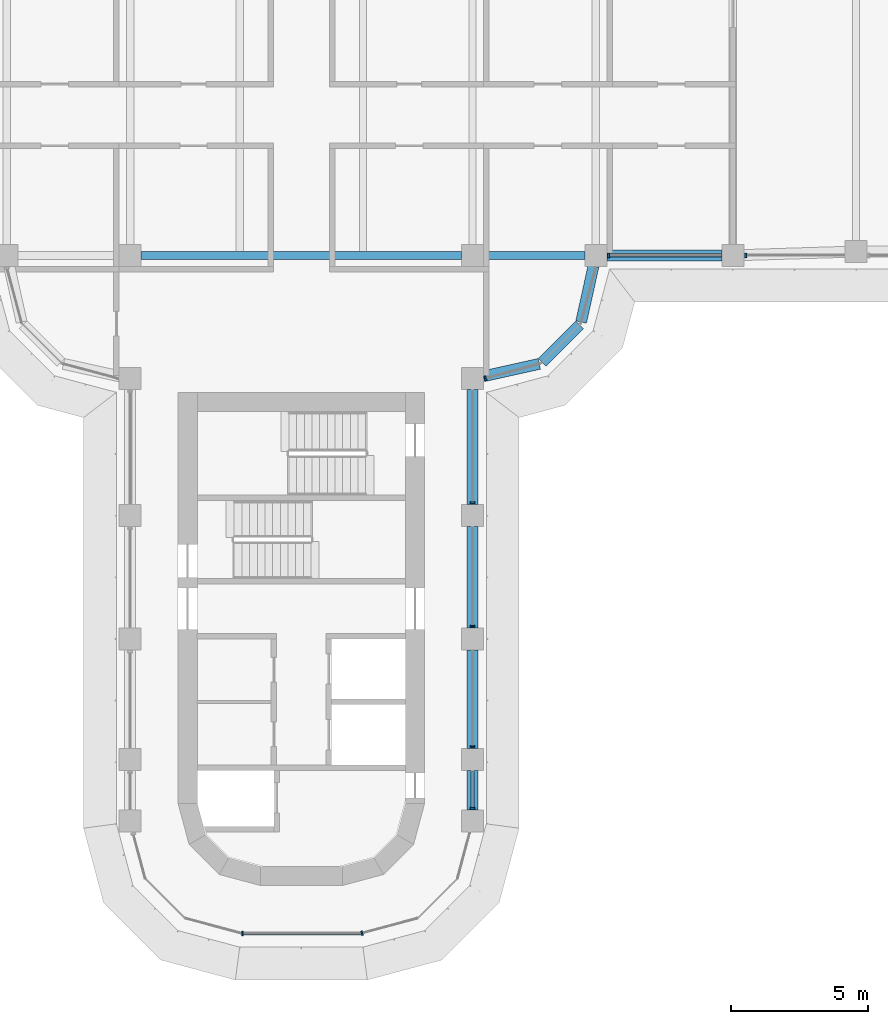
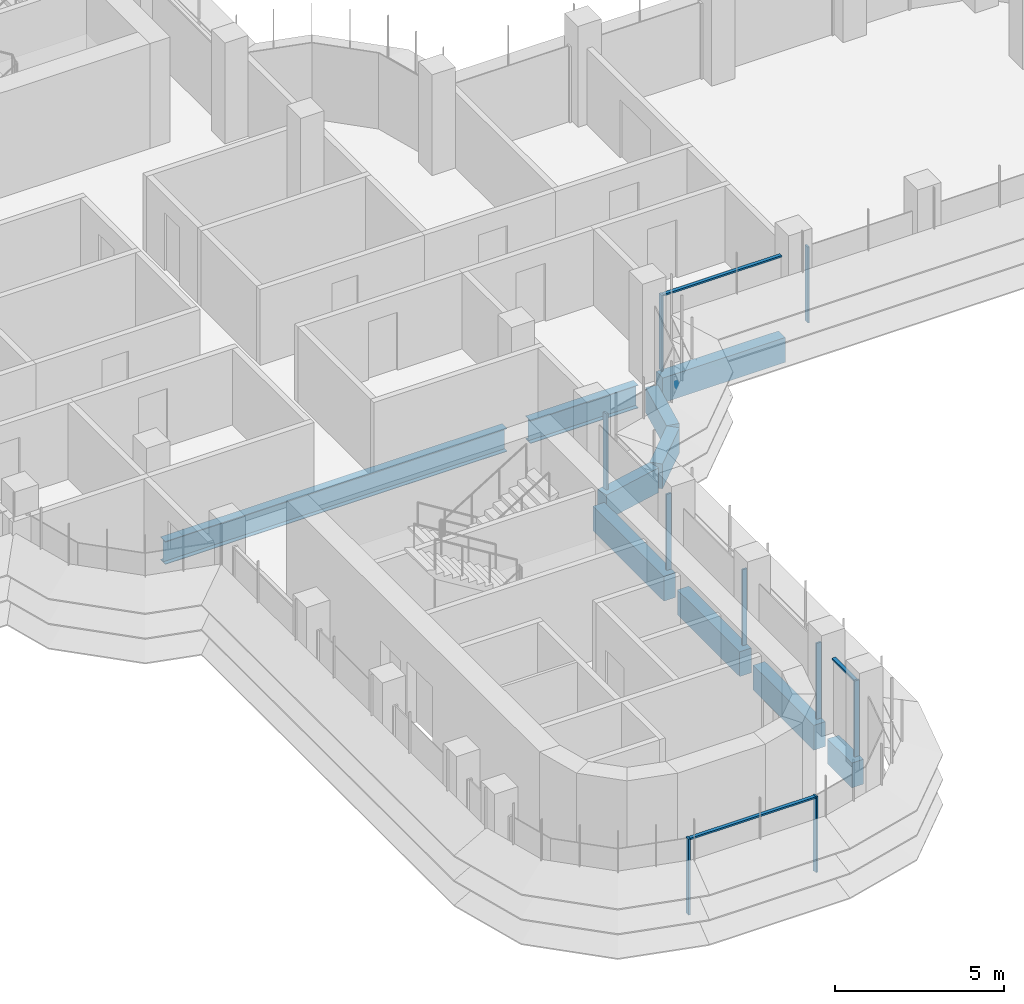
# One storey, part 4 of 19: 12 members, 10 beams, 5 elements without a shape of their own.
"""IFC4 building model written with IfcOpenShell, lengths in metres."""

from ifc_helpers import new_model, si_unit, direction, frame, origin, origin_2d, place, context, subcontext, project, spatial, polyline, rectangle, i_section, outline, extrude, source, transform, mapped, material, material_profile, profile_set, type_object, element, aggregate, save


model = new_model("IFC4")

# Units and contexts
model_context = context("Model", 3, precision=1e-05, world=origin(), true_north=direction((0.0, 1.0)))
body_context = subcontext(model_context, "Body", "Model", "MODEL_VIEW")
ifc_project = project(units=[si_unit("LENGTHUNIT", "METRE"), si_unit("AREAUNIT", "SQUARE_METRE"), si_unit("VOLUMEUNIT", "CUBIC_METRE"), si_unit("PLANEANGLEUNIT", "RADIAN"), si_unit("MASSUNIT", "GRAM", prefix="KILO")], contexts=[model_context])

# Site, building, storey
site_placement = place(None, origin())
site = spatial("IfcSite", under=ifc_project, at=site_placement, CompositionType="ELEMENT")
building_placement = place(site_placement, origin())
building = spatial("IfcBuilding", under=site, at=building_placement, Name="Zarbagh Exchange Tower", CompositionType="ELEMENT")
storey_placement = place(building_placement, frame((0.0, 0.0, 160.0)))
storey = spatial("IfcBuildingStorey", under=building, at=storey_placement, Name="L38", CompositionType="ELEMENT", Elevation=160.0)

# Beams
ifc_material_1 = material(Name="Steel ASTM A992 Gr 50", Category="steel")
ifc_material_profile_1 = material_profile(ifc_material_1, i_section(OverallWidth=0.2919921875, OverallDepth=0.835693359375, WebThickness=0.013916015625, FlangeThickness=0.018798828125, at=origin_2d()), Name="W33X118")
ifc_profile_set_1 = profile_set([ifc_material_profile_1], Name="Steel ASTM A992 Gr 50")
beam_type_1 = type_object("IfcBeamType", Name="Floor girder W33X118", PredefinedType="BEAM", material=ifc_profile_set_1)
beam_1_placement = place(storey_placement, frame((-5.85009765625, -6.25, -0.56787109375), z_axis=(1.0, 0.0, 0.0), x_axis=(0.0, 1.0, 0.0)))
element("IfcBeam", 1, at=beam_1_placement, inside=storey, type_object=beam_type_1, Name="Steel girder", PredefinedType="BEAM", context=body_context, shape_type="SweptSolid", body=[
    extrude(i_section(OverallWidth=0.2919921875, OverallDepth=0.835693359375, WebThickness=0.013916015625, FlangeThickness=0.018798828125, at=origin_2d()), origin(), (0.0, 0.0, 1.0), 11.7001953125),
])
beam_2_placement = place(storey_placement, frame((6.64990234375, -6.25, -0.56787109375), z_axis=(1.0, 0.0, 0.0), x_axis=(0.0, 1.0, 0.0)))
element("IfcBeam", 2, at=beam_2_placement, inside=storey, type_object=beam_type_1, Name="Steel girder", PredefinedType="BEAM", context=body_context, shape_type="SweptSolid", body=[
    extrude(i_section(OverallWidth=0.2919921875, OverallDepth=0.835693359375, WebThickness=0.013916015625, FlangeThickness=0.018798828125, at=origin_2d()), origin(), (0.0, 0.0, 1.0), 3.7001953125),
])
ifc_material_2 = material(Name="Concrete C50/60", Category="concrete")
ifc_material_profile_2 = material_profile(ifc_material_2, rectangle(XDim=0.39990234375, YDim=0.89990234375, at=origin_2d()), Name="RC spandrel beam 400 x 900 C50/60")
ifc_profile_set_2 = profile_set([ifc_material_profile_2], Name="Concrete C50/60")
beam_type_2 = type_object("IfcBeamType", Name="RC spandrel beam 400 x 900 C50/60", PredefinedType="SPANDREL", material=ifc_profile_set_2)
beam_3_placement = place(storey_placement, frame((15.35009765625, -6.25, -0.60009765625), z_axis=(-1.0, 0.0, 0.0), x_axis=(0.0, -1.0, 0.0)))
element("IfcBeam", 3, at=beam_3_placement, inside=storey, type_object=beam_type_2, Name="RC spandrel beam", PredefinedType="SPANDREL", context=body_context, shape_type="SweptSolid", body=[
    extrude(rectangle(XDim=0.39990234375, YDim=0.89990234375, at=origin_2d()), origin(), (0.0, 0.0, 1.0), 4.2001953125),
])
beam_4_placement = place(storey_placement, frame((10.66357421875, -6.640625, -0.60009765625), z_axis=(-0.216041061437, -0.976384278741, 0.0), x_axis=(0.976384278741, -0.216041061437, 0.0)))
element("IfcBeam", 4, at=beam_4_placement, inside=storey, type_object=beam_type_2, Name="RC spandrel beam", PredefinedType="SPANDREL", context=body_context, shape_type="SweptSolid", body=[
    extrude(rectangle(XDim=0.39990234375, YDim=0.89990234375, at=origin_2d()), origin(), (0.0, 0.0, 1.0), 2.0927734375),
])
beam_5_placement = place(storey_placement, frame((10.15771484375, -8.782470703125, -0.60009765625), z_axis=(-0.707106781187, -0.707106781187, 0.0), x_axis=(0.707106781187, -0.707106781187, 0.0)))
element("IfcBeam", 5, at=beam_5_placement, inside=storey, type_object=beam_type_2, Name="RC spandrel beam", PredefinedType="SPANDREL", context=body_context, shape_type="SweptSolid", body=[
    extrude(rectangle(XDim=0.39990234375, YDim=0.89990234375, at=origin_2d()), origin(), (0.0, 0.0, 1.0), 1.94482421875),
])
beam_6_placement = place(storey_placement, frame((8.68408203125, -10.21142578125, -0.60009765625), z_axis=(-0.976384278741, -0.216041061437, 0.0), x_axis=(0.216041061437, -0.976384278741, 0.0)))
element("IfcBeam", 6, at=beam_6_placement, inside=storey, type_object=beam_type_2, Name="RC spandrel beam", PredefinedType="SPANDREL", context=body_context, shape_type="SweptSolid", body=[
    extrude(rectangle(XDim=0.39990234375, YDim=0.89990234375, at=origin_2d()), origin(), (0.0, 0.0, 1.0), 2.0927734375),
])
beam_7_placement = place(storey_placement, frame((6.25, -11.14990234375, -0.60009765625), z_axis=(0.0, -1.0, 0.0), x_axis=(1.0, 0.0, 0.0)))
element("IfcBeam", 7, at=beam_7_placement, inside=storey, type_object=beam_type_2, Name="RC spandrel beam", PredefinedType="SPANDREL", context=body_context, shape_type="SweptSolid", body=[
    extrude(rectangle(XDim=0.39990234375, YDim=0.89990234375, at=origin_2d()), origin(), (0.0, 0.0, 1.0), 4.2001953125),
])
beam_8_placement = place(storey_placement, frame((6.25, -16.14990234375, -0.60009765625), z_axis=(0.0, -1.0, 0.0), x_axis=(1.0, 0.0, 0.0)))
element("IfcBeam", 8, at=beam_8_placement, inside=storey, type_object=beam_type_2, Name="RC spandrel beam", PredefinedType="SPANDREL", context=body_context, shape_type="SweptSolid", body=[
    extrude(rectangle(XDim=0.39990234375, YDim=0.89990234375, at=origin_2d()), origin(), (0.0, 0.0, 1.0), 3.7001953125),
])
beam_9_placement = place(storey_placement, frame((6.25, -20.64990234375, -0.60009765625), z_axis=(0.0, -1.0, 0.0), x_axis=(1.0, 0.0, 0.0)))
element("IfcBeam", 9, at=beam_9_placement, inside=storey, type_object=beam_type_2, Name="RC spandrel beam", PredefinedType="SPANDREL", context=body_context, shape_type="SweptSolid", body=[
    extrude(rectangle(XDim=0.39990234375, YDim=0.89990234375, at=origin_2d()), origin(), (0.0, 0.0, 1.0), 3.60009765625),
])
beam_10_placement = place(storey_placement, frame((6.25, -25.050048828125, -0.60009765625), z_axis=(0.0, -1.0, 0.0), x_axis=(1.0, 0.0, 0.0)))
element("IfcBeam", 10, at=beam_10_placement, inside=storey, type_object=beam_type_2, Name="RC spandrel beam", PredefinedType="SPANDREL", context=body_context, shape_type="SweptSolid", body=[
    extrude(rectangle(XDim=0.39990234375, YDim=0.89990234375, at=origin_2d()), origin(), (0.0, 0.0, 1.0), 1.449951171875),
])

# Curtain wall, member
ifc_material_3 = material(Name="Anodised aluminium frame and glazing", Category="aluminium")
curtain_wall_type = type_object("IfcCurtainWallType", Name="CWB Ribbon glazing, upper zones", PredefinedType="NOTDEFINED", material=ifc_material_3)
curtain_wall_1_placement = place(storey_placement, origin())
curtain_wall_1 = element("IfcCurtainWall", 11, at=curtain_wall_1_placement, inside=storey, type_object=curtain_wall_type, Name="CWB49 curtain wall", PredefinedType="NOTDEFINED")
ifc_material_4 = material(Name="Anodised aluminium frame", Category="aluminium")
member_type_1 = type_object("IfcMemberType", Name="MUB Mullion, anodised aluminium frame", PredefinedType="MULLION", material=ifc_material_4)
shared_shape_1 = source(origin(), body_context, "Body", "SweptSolid", [
    extrude(outline(polyline([(0.0, -0.080078125), (0.06005859375, -0.080078125), (0.06005859375, 0.080078125), (0.0, 0.080078125), (0.0, -0.080078125)])), origin(), (0.0, 0.0, 1.0), 2.75),
])
placement = place(storey_placement, origin())
member_1 = element("IfcMember", 12, at=placement, type_object=member_type_1, Name="CWB49 mullion 1.1", PredefinedType="MULLION", context=body_context, shape_type="MappedRepresentation", body=[
    mapped(shared_shape_1, transform((2.18408203125, -31.0, 0.0), x_axis=(0.965924289636, 0.258824779902, 0.0), y_axis=(-0.258824779902, 0.965924289636, 0.0), z_axis=(0.0, 0.0, 1.0))),
])
aggregate(curtain_wall_1, [member_1])

# Curtain wall, members
curtain_wall_2_placement = place(storey_placement, origin())
curtain_wall_2 = element("IfcCurtainWall", 13, at=curtain_wall_2_placement, inside=storey, type_object=curtain_wall_type, Name="CWB52 curtain wall", PredefinedType="NOTDEFINED")
member_2 = element("IfcMember", 14, at=placement, type_object=member_type_1, Name="CWB52 mullion 1.1", PredefinedType="MULLION", context=body_context, shape_type="MappedRepresentation", body=[
    mapped(shared_shape_1, transform((6.25, -26.4599609375, 0.0), x_axis=(0.0, 1.0, 0.0), y_axis=(-1.0, 0.0, 0.0), z_axis=(0.0, 0.0, 1.0))),
])
member_3 = element("IfcMember", 15, at=placement, type_object=member_type_1, Name="CWB52 mullion 2.1", PredefinedType="MULLION", context=body_context, shape_type="MappedRepresentation", body=[
    mapped(shared_shape_1, transform((6.25, -24.2099609375, 0.0), x_axis=(0.0, 1.0, 0.0), y_axis=(-1.0, 0.0, 0.0), z_axis=(0.0, 0.0, 1.0))),
])
member_4 = element("IfcMember", 16, at=placement, type_object=member_type_1, Name="CWB52 mullion 3.1", PredefinedType="MULLION", context=body_context, shape_type="MappedRepresentation", body=[
    mapped(shared_shape_1, transform((6.25, -19.81005859375, 0.0), x_axis=(0.0, 1.0, 0.0), y_axis=(-1.0, 0.0, 0.0), z_axis=(0.0, 0.0, 1.0))),
])
member_5 = element("IfcMember", 17, at=placement, type_object=member_type_1, Name="CWB52 mullion 4.1", PredefinedType="MULLION", context=body_context, shape_type="MappedRepresentation", body=[
    mapped(shared_shape_1, transform((6.25, -15.31005859375, 0.0), x_axis=(0.0, 1.0, 0.0), y_axis=(-1.0, 0.0, 0.0), z_axis=(0.0, 0.0, 1.0))),
])

# Curtain wall, member
curtain_wall_3_placement = place(storey_placement, origin())
curtain_wall_3 = element("IfcCurtainWall", 18, at=curtain_wall_3_placement, inside=storey, type_object=curtain_wall_type, Name="CWB05 curtain wall", PredefinedType="NOTDEFINED")
member_6 = element("IfcMember", 19, at=placement, type_object=member_type_1, Name="CWB05 mullion 1.1", PredefinedType="MULLION", context=body_context, shape_type="MappedRepresentation", body=[
    mapped(shared_shape_1, transform((6.68994140625, -10.74853515625, 0.0), x_axis=(0.965924289636, 0.258824779902, 0.0), y_axis=(-0.258824779902, 0.965924289636, 0.0), z_axis=(0.0, 0.0, 1.0))),
])
aggregate(curtain_wall_3, [member_6])

# Curtain wall, members
curtain_wall_4_placement = place(storey_placement, origin())
curtain_wall_4 = element("IfcCurtainWall", 20, at=curtain_wall_4_placement, inside=storey, type_object=curtain_wall_type, Name="CWB08 curtain wall", PredefinedType="NOTDEFINED")
member_7 = element("IfcMember", 21, at=placement, type_object=member_type_1, Name="CWB08 mullion 1.1", PredefinedType="MULLION", context=body_context, shape_type="MappedRepresentation", body=[
    mapped(shared_shape_1, transform((11.18994140625, -6.25, 0.0), x_axis=(1.0, 0.0, 0.0), y_axis=(0.0, 1.0, 0.0), z_axis=(0.0, 0.0, 1.0))),
])
member_8 = element("IfcMember", 22, at=placement, type_object=member_type_1, Name="CWB08 mullion 2.1", PredefinedType="MULLION", context=body_context, shape_type="MappedRepresentation", body=[
    mapped(shared_shape_1, transform((16.18994140625, -6.25, 0.0), x_axis=(1.0, 0.0, 0.0), y_axis=(0.0, 1.0, 0.0), z_axis=(0.0, 0.0, 1.0))),
])

curtain_wall_5_placement = place(storey_placement, origin())
curtain_wall_5 = element("IfcCurtainWall", 23, at=curtain_wall_5_placement, inside=storey, type_object=curtain_wall_type, Name="CWB57 curtain wall", PredefinedType="NOTDEFINED")
member_9 = element("IfcMember", 24, at=placement, type_object=member_type_1, Name="CWB57 mullion 1.1", PredefinedType="MULLION", context=body_context, shape_type="MappedRepresentation", body=[
    mapped(shared_shape_1, transform((-2.18408203125, -31.0, 0.0), x_axis=(1.0, 0.0, 0.0), y_axis=(0.0, 1.0, 0.0), z_axis=(0.0, 0.0, 1.0))),
])
member_type_2 = type_object("IfcMemberType", Name="TRB Transom, anodised aluminium frame", PredefinedType="USERDEFINED", material=ifc_material_4)
shared_shape_2 = source(origin(), body_context, "Body", "SweptSolid", [
    extrude(outline(polyline([(-0.06005859375, -0.06005859375), (0.0, -0.06005859375), (0.0, 0.06005859375), (-0.06005859375, 0.06005859375), (-0.06005859375, -0.06005859375)])), origin(), (0.0, 0.0, 1.0), 4.308349609375),
])
member_10 = element("IfcMember", 25, at=placement, type_object=member_type_2, Name="CWB57 transom 1.1", ObjectType="TRANSOM", PredefinedType="USERDEFINED", context=body_context, shape_type="MappedRepresentation", body=[
    mapped(shared_shape_2, transform((-2.124267578125, -31.0, 2.75), x_axis=(0.0, 0.0, 1.0), y_axis=(0.0, -1.0, 0.0), z_axis=(1.0, 0.0, 0.0))),
])
aggregate(curtain_wall_5, [member_9, member_10])

# Member
shared_shape_3 = source(origin(), body_context, "Body", "SweptSolid", [
    extrude(outline(polyline([(-0.06005859375, -0.06005859375), (0.0, -0.06005859375), (0.0, 0.06005859375), (-0.06005859375, 0.06005859375), (-0.06005859375, -0.06005859375)])), origin(), (0.0, 0.0, 1.0), 4.06005859375),
])
member_11 = element("IfcMember", 26, at=placement, type_object=member_type_2, Name="CWB08 transom 1.1", ObjectType="TRANSOM", PredefinedType="USERDEFINED", context=body_context, shape_type="MappedRepresentation", body=[
    mapped(shared_shape_3, transform((11.25, -6.25, 2.75), x_axis=(0.0, 0.0, 1.0), y_axis=(0.0, -1.0, 0.0), z_axis=(1.0, 0.0, 0.0))),
])

aggregate(curtain_wall_4, [member_7, member_11, member_8])

shared_shape_4 = source(origin(), body_context, "Body", "SweptSolid", [
    extrude(outline(polyline([(-0.06005859375, -0.06005859375), (0.0, -0.06005859375), (0.0, 0.06005859375), (-0.06005859375, 0.06005859375), (-0.06005859375, -0.06005859375)])), origin(), (0.0, 0.0, 1.0), 1.31005859375),
])
member_12 = element("IfcMember", 27, at=placement, type_object=member_type_2, Name="CWB52 transom 1.1", ObjectType="TRANSOM", PredefinedType="USERDEFINED", context=body_context, shape_type="MappedRepresentation", body=[
    mapped(shared_shape_4, transform((6.25, -26.39990234375, 2.75), x_axis=(0.0, 0.0, 1.0), y_axis=(1.0, 0.0, 0.0), z_axis=(0.0, 1.0, 0.0))),
])

aggregate(curtain_wall_2, [member_2, member_12, member_3, member_4, member_5])

save(model, "model.ifc")
